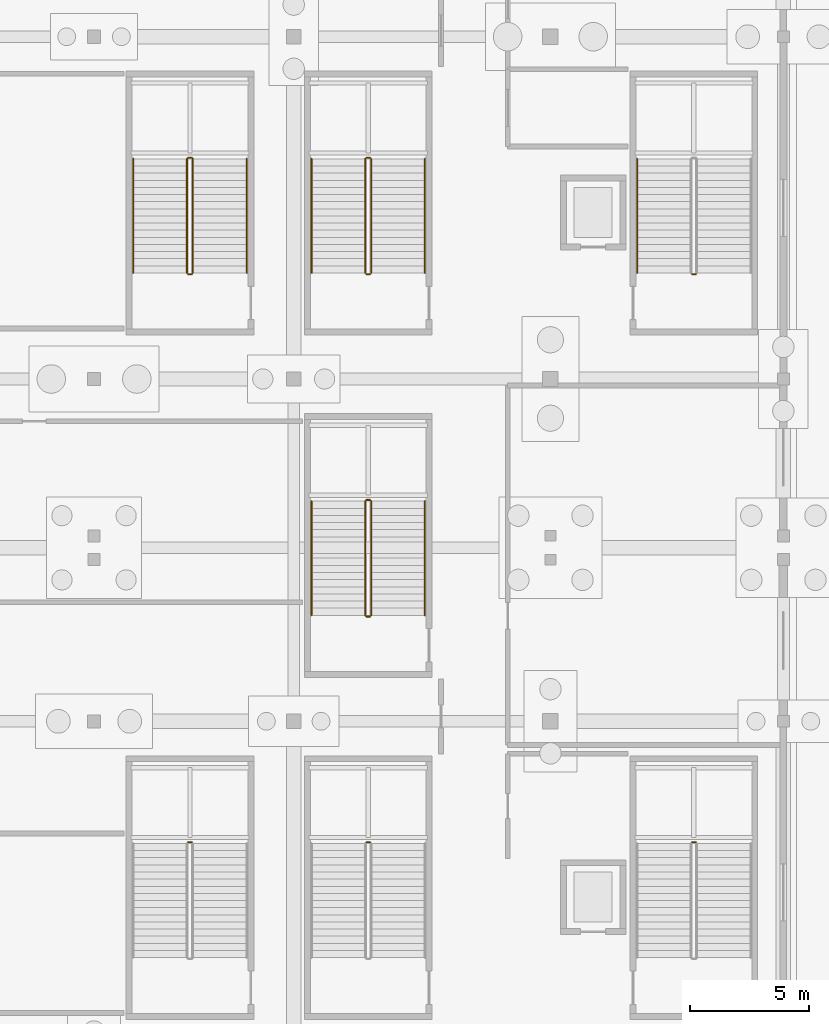
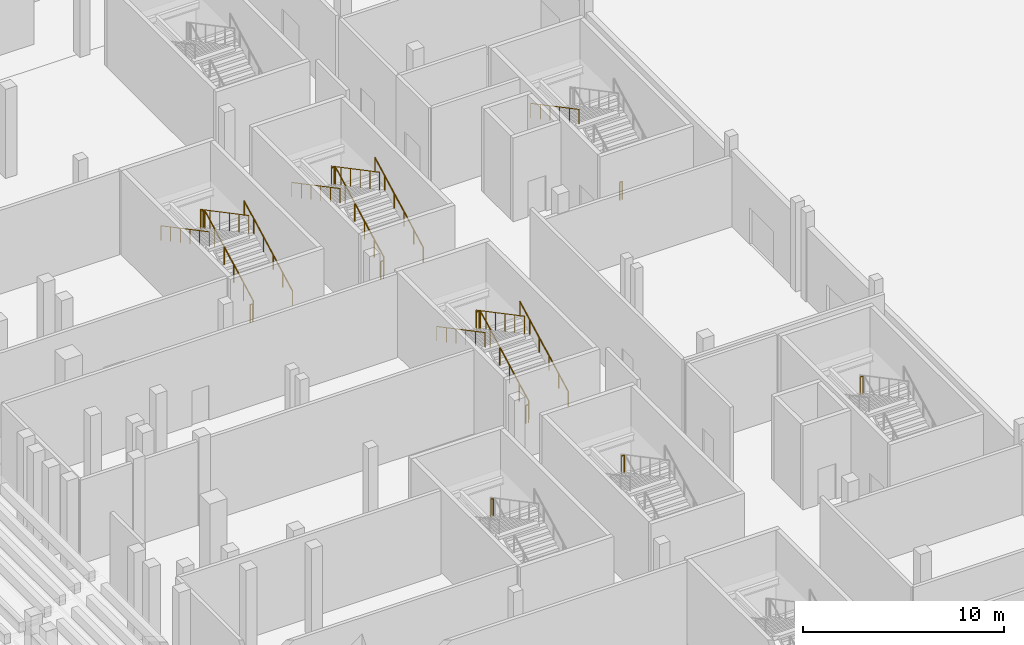
# One storey, part 81 of 89: 23 railings.
"""IFC4 building model written with IfcOpenShell, lengths in metres."""

from ifc_helpers import new_model, si_unit, direction, frame, origin, origin_2d, place, context, subcontext, project, spatial, circle, extrude, material, type_object, element, save


model = new_model("IFC4")

# Units and contexts
model_context = context("Model", 3, precision=1e-05, world=origin(), true_north=direction((0.0, 1.0)))
body_context = subcontext(model_context, "Body", "Model", "MODEL_VIEW")
ifc_project = project(units=[si_unit("LENGTHUNIT", "METRE"), si_unit("AREAUNIT", "SQUARE_METRE"), si_unit("VOLUMEUNIT", "CUBIC_METRE"), si_unit("PLANEANGLEUNIT", "RADIAN"), si_unit("MASSUNIT", "GRAM", prefix="KILO")], contexts=[model_context])

# Site, building, storey
site_placement = place(None, origin())
site = spatial("IfcSite", under=ifc_project, at=site_placement, CompositionType="ELEMENT")
building_placement = place(site_placement, origin())
building = spatial("IfcBuilding", under=site, at=building_placement, Name="Koshinbarg Plaza Stadium", CompositionType="ELEMENT")
storey_placement = place(building_placement, origin())
storey = spatial("IfcBuildingStorey", under=building, at=storey_placement, Name="L00", CompositionType="ELEMENT", Elevation=0.0)

# Railings
ifc_material_1 = material(Name="Galvanized painted steel guardrail", Category="steel")
railing_type_1 = type_object("IfcRailingType", Name="RL-GUARD-1100", PredefinedType="GUARDRAIL", material=ifc_material_1)
for number, where, name in (
    (1, (214.7099609375, 63.610107421875, 2.699951171875), "L00 C08 stair guard 2"),
    (2, (214.7099609375, 87.510009765625, 0.0), "L00 C09 stair guard 4"),
    (3, (201.010009765625, 63.610107421875, 2.699951171875), "L00 VX09 stair guard 2"),
):
    element("IfcRailing", number, at=place(storey_placement, frame(where)), inside=storey, type_object=railing_type_1, Name=name, PredefinedType="GUARDRAIL", context=body_context, shape_type="SweptSolid", body=[
        extrude(circle(Radius=0.02392578125, at=origin_2d()), frame((0.0, 0.0, 1.076171875), z_axis=(-1.0, 0.0, 0.0), x_axis=(0.0, -1.0, 0.0)), (0.0, 0.0, 1.0), 0.14990234375),
        extrude(circle(Radius=0.02099609375, at=origin_2d()), origin(), (0.0, 0.0, 1.0), 1.052001953125),
        extrude(circle(Radius=0.02099609375, at=origin_2d()), frame((-0.14990234375, 0.0, 0.0)), (0.0, 0.0, 1.0), 1.052001953125),
    ])
railing_1_placement = place(storey_placement, frame((201.06005859375, 73.159912109375, 0.158935546875)))
element("IfcRailing", 4, at=railing_1_placement, inside=storey, type_object=railing_type_1, Name="L00 VX10 stair guard 1", PredefinedType="GUARDRAIL", context=body_context, shape_type="SweptSolid", body=[
    extrude(circle(Radius=0.02392578125, at=origin_2d()), frame((0.0, 0.0, 1.076171875), z_axis=(0.0, 0.883802130504, 0.467860870469), x_axis=(-1.0, 0.0, 0.0)), (0.0, 0.0, 1.0), 5.43115234375),
    extrude(circle(Radius=0.02099609375, at=origin_2d()), origin(), (0.0, 0.0, 1.0), 1.052001953125),
    extrude(circle(Radius=0.02099609375, at=origin_2d()), frame((0.0, 0.9599609375, 0.50830078125)), (0.0, 0.0, 1.0), 1.052001953125),
    extrude(circle(Radius=0.02099609375, at=origin_2d()), frame((0.0, 1.919921875, 1.016357421875)), (0.0, 0.0, 1.0), 1.052001953125),
    extrude(circle(Radius=0.02099609375, at=origin_2d()), frame((0.0, 2.880126953125, 1.524658203125)), (0.0, 0.0, 1.0), 1.052001953125),
    extrude(circle(Radius=0.02099609375, at=origin_2d()), frame((0.0, 3.840087890625, 2.03271484375)), (0.0, 0.0, 1.0), 1.052001953125),
    extrude(circle(Radius=0.02099609375, at=origin_2d()), frame((0.0, 4.800048828125, 2.541015625)), (0.0, 0.0, 1.0), 1.052001953125),
])
railing_2_placement = place(storey_placement, frame((201.010009765625, 78.010009765625, 2.699951171875)))
element("IfcRailing", 5, at=railing_2_placement, inside=storey, type_object=railing_type_1, Name="L00 VX10 stair guard 2", PredefinedType="GUARDRAIL", context=body_context, shape_type="SweptSolid", body=[
    extrude(circle(Radius=0.02392578125, at=origin_2d()), frame((0.0, 0.0, 1.076171875), z_axis=(-1.0, 0.0, 0.0), x_axis=(0.0, -1.0, 0.0)), (0.0, 0.0, 1.0), 0.14990234375),
    extrude(circle(Radius=0.02099609375, at=origin_2d()), origin(), (0.0, 0.0, 1.0), 1.052001953125),
    extrude(circle(Radius=0.02099609375, at=origin_2d()), frame((-0.14990234375, 0.0, 0.0)), (0.0, 0.0, 1.0), 1.052001953125),
])
railing_3_placement = place(storey_placement, frame((200.81005859375, 77.9599609375, 2.85888671875)))
element("IfcRailing", 6, at=railing_3_placement, inside=storey, type_object=railing_type_1, Name="L00 VX10 stair guard 3", PredefinedType="GUARDRAIL", context=body_context, shape_type="SweptSolid", body=[
    extrude(circle(Radius=0.02392578125, at=origin_2d()), frame((0.0, 0.0, 1.076171875), z_axis=(0.0, -0.883802130504, 0.467860870469), x_axis=(1.0, 0.0, 0.0)), (0.0, 0.0, 1.0), 5.43115234375),
    extrude(circle(Radius=0.02099609375, at=origin_2d()), origin(), (0.0, 0.0, 1.0), 1.052001953125),
    extrude(circle(Radius=0.02099609375, at=origin_2d()), frame((0.0, -0.9599609375, 0.50830078125)), (0.0, 0.0, 1.0), 1.052001953125),
    extrude(circle(Radius=0.02099609375, at=origin_2d()), frame((0.0, -1.919921875, 1.016357421875)), (0.0, 0.0, 1.0), 1.052001953125),
    extrude(circle(Radius=0.02099609375, at=origin_2d()), frame((0.0, -2.880126953125, 1.524658203125)), (0.0, 0.0, 1.0), 1.052001953125),
    extrude(circle(Radius=0.02099609375, at=origin_2d()), frame((0.0, -3.840087890625, 2.03271484375)), (0.0, 0.0, 1.0), 1.052001953125),
    extrude(circle(Radius=0.02099609375, at=origin_2d()), frame((0.0, -4.800048828125, 2.541015625)), (0.0, 0.0, 1.0), 1.052001953125),
])
railing_4_placement = place(storey_placement, frame((201.010009765625, 73.110107421875, 0.0)))
element("IfcRailing", 7, at=railing_4_placement, inside=storey, type_object=railing_type_1, Name="L00 VX10 stair guard 4", PredefinedType="GUARDRAIL", context=body_context, shape_type="SweptSolid", body=[
    extrude(circle(Radius=0.02392578125, at=origin_2d()), frame((0.0, 0.0, 1.076171875), z_axis=(-1.0, 0.0, 0.0), x_axis=(0.0, -1.0, 0.0)), (0.0, 0.0, 1.0), 0.14990234375),
    extrude(circle(Radius=0.02099609375, at=origin_2d()), origin(), (0.0, 0.0, 1.0), 1.052001953125),
    extrude(circle(Radius=0.02099609375, at=origin_2d()), frame((-0.14990234375, 0.0, 0.0)), (0.0, 0.0, 1.0), 1.052001953125),
])
railing_5_placement = place(storey_placement, frame((201.06005859375, 87.56005859375, 0.158935546875)))
element("IfcRailing", 8, at=railing_5_placement, inside=storey, type_object=railing_type_1, Name="L00 VX11 stair guard 1", PredefinedType="GUARDRAIL", context=body_context, shape_type="SweptSolid", body=[
    extrude(circle(Radius=0.02392578125, at=origin_2d()), frame((0.0, 0.0, 1.076171875), z_axis=(0.0, 0.883802130504, 0.467860870469), x_axis=(-1.0, 0.0, 0.0)), (0.0, 0.0, 1.0), 5.43115234375),
    extrude(circle(Radius=0.02099609375, at=origin_2d()), origin(), (0.0, 0.0, 1.0), 1.052001953125),
    extrude(circle(Radius=0.02099609375, at=origin_2d()), frame((0.0, 0.9599609375, 0.50830078125)), (0.0, 0.0, 1.0), 1.052001953125),
    extrude(circle(Radius=0.02099609375, at=origin_2d()), frame((0.0, 1.919921875, 1.016357421875)), (0.0, 0.0, 1.0), 1.052001953125),
    extrude(circle(Radius=0.02099609375, at=origin_2d()), frame((0.0, 2.880126953125, 1.524658203125)), (0.0, 0.0, 1.0), 1.052001953125),
    extrude(circle(Radius=0.02099609375, at=origin_2d()), frame((0.0, 3.840087890625, 2.03271484375)), (0.0, 0.0, 1.0), 1.052001953125),
    extrude(circle(Radius=0.02099609375, at=origin_2d()), frame((0.0, 4.800048828125, 2.541015625)), (0.0, 0.0, 1.0), 1.052001953125),
])
railing_6_placement = place(storey_placement, frame((201.010009765625, 92.409912109375, 2.699951171875)))
element("IfcRailing", 9, at=railing_6_placement, inside=storey, type_object=railing_type_1, Name="L00 VX11 stair guard 2", PredefinedType="GUARDRAIL", context=body_context, shape_type="SweptSolid", body=[
    extrude(circle(Radius=0.02392578125, at=origin_2d()), frame((0.0, 0.0, 1.076171875), z_axis=(-1.0, 0.0, 0.0), x_axis=(0.0, -1.0, 0.0)), (0.0, 0.0, 1.0), 0.14990234375),
    extrude(circle(Radius=0.02099609375, at=origin_2d()), origin(), (0.0, 0.0, 1.0), 1.052001953125),
    extrude(circle(Radius=0.02099609375, at=origin_2d()), frame((-0.14990234375, 0.0, 0.0)), (0.0, 0.0, 1.0), 1.052001953125),
])
railing_7_placement = place(storey_placement, frame((200.81005859375, 92.360107421875, 2.85888671875)))
element("IfcRailing", 10, at=railing_7_placement, inside=storey, type_object=railing_type_1, Name="L00 VX11 stair guard 3", PredefinedType="GUARDRAIL", context=body_context, shape_type="SweptSolid", body=[
    extrude(circle(Radius=0.02392578125, at=origin_2d()), frame((0.0, 0.0, 1.076171875), z_axis=(0.0, -0.883802130504, 0.467860870469), x_axis=(1.0, 0.0, 0.0)), (0.0, 0.0, 1.0), 5.43115234375),
    extrude(circle(Radius=0.02099609375, at=origin_2d()), origin(), (0.0, 0.0, 1.0), 1.052001953125),
    extrude(circle(Radius=0.02099609375, at=origin_2d()), frame((0.0, -0.9599609375, 0.50830078125)), (0.0, 0.0, 1.0), 1.052001953125),
    extrude(circle(Radius=0.02099609375, at=origin_2d()), frame((0.0, -1.919921875, 1.016357421875)), (0.0, 0.0, 1.0), 1.052001953125),
    extrude(circle(Radius=0.02099609375, at=origin_2d()), frame((0.0, -2.880126953125, 1.524658203125)), (0.0, 0.0, 1.0), 1.052001953125),
    extrude(circle(Radius=0.02099609375, at=origin_2d()), frame((0.0, -3.840087890625, 2.03271484375)), (0.0, 0.0, 1.0), 1.052001953125),
    extrude(circle(Radius=0.02099609375, at=origin_2d()), frame((0.0, -4.800048828125, 2.541015625)), (0.0, 0.0, 1.0), 1.052001953125),
])
for number, where, name in (
    (11, (201.010009765625, 87.510009765625, 0.0), "L00 VX11 stair guard 4"),
    (12, (193.510009765625, 63.610107421875, 2.699951171875), "L00 VL06 stair guard 2"),
):
    element("IfcRailing", number, at=place(storey_placement, frame(where)), inside=storey, type_object=railing_type_1, Name=name, PredefinedType="GUARDRAIL", context=body_context, shape_type="SweptSolid", body=[
        extrude(circle(Radius=0.02392578125, at=origin_2d()), frame((0.0, 0.0, 1.076171875), z_axis=(-1.0, 0.0, 0.0), x_axis=(0.0, -1.0, 0.0)), (0.0, 0.0, 1.0), 0.14990234375),
        extrude(circle(Radius=0.02099609375, at=origin_2d()), origin(), (0.0, 0.0, 1.0), 1.052001953125),
        extrude(circle(Radius=0.02099609375, at=origin_2d()), frame((-0.14990234375, 0.0, 0.0)), (0.0, 0.0, 1.0), 1.052001953125),
    ])
railing_8_placement = place(storey_placement, frame((193.56005859375, 87.56005859375, 0.158935546875)))
element("IfcRailing", 13, at=railing_8_placement, inside=storey, type_object=railing_type_1, Name="L00 VL07 stair guard 1", PredefinedType="GUARDRAIL", context=body_context, shape_type="SweptSolid", body=[
    extrude(circle(Radius=0.02392578125, at=origin_2d()), frame((0.0, 0.0, 1.076171875), z_axis=(0.0, 0.883802130504, 0.467860870469), x_axis=(-1.0, 0.0, 0.0)), (0.0, 0.0, 1.0), 5.43115234375),
    extrude(circle(Radius=0.02099609375, at=origin_2d()), origin(), (0.0, 0.0, 1.0), 1.052001953125),
    extrude(circle(Radius=0.02099609375, at=origin_2d()), frame((0.0, 0.9599609375, 0.50830078125)), (0.0, 0.0, 1.0), 1.052001953125),
    extrude(circle(Radius=0.02099609375, at=origin_2d()), frame((0.0, 1.919921875, 1.016357421875)), (0.0, 0.0, 1.0), 1.052001953125),
    extrude(circle(Radius=0.02099609375, at=origin_2d()), frame((0.0, 2.880126953125, 1.524658203125)), (0.0, 0.0, 1.0), 1.052001953125),
    extrude(circle(Radius=0.02099609375, at=origin_2d()), frame((0.0, 3.840087890625, 2.03271484375)), (0.0, 0.0, 1.0), 1.052001953125),
    extrude(circle(Radius=0.02099609375, at=origin_2d()), frame((0.0, 4.800048828125, 2.541015625)), (0.0, 0.0, 1.0), 1.052001953125),
])
railing_9_placement = place(storey_placement, frame((193.510009765625, 92.409912109375, 2.699951171875)))
element("IfcRailing", 14, at=railing_9_placement, inside=storey, type_object=railing_type_1, Name="L00 VL07 stair guard 2", PredefinedType="GUARDRAIL", context=body_context, shape_type="SweptSolid", body=[
    extrude(circle(Radius=0.02392578125, at=origin_2d()), frame((0.0, 0.0, 1.076171875), z_axis=(-1.0, 0.0, 0.0), x_axis=(0.0, -1.0, 0.0)), (0.0, 0.0, 1.0), 0.14990234375),
    extrude(circle(Radius=0.02099609375, at=origin_2d()), origin(), (0.0, 0.0, 1.0), 1.052001953125),
    extrude(circle(Radius=0.02099609375, at=origin_2d()), frame((-0.14990234375, 0.0, 0.0)), (0.0, 0.0, 1.0), 1.052001953125),
])
railing_10_placement = place(storey_placement, frame((193.31005859375, 92.360107421875, 2.85888671875)))
element("IfcRailing", 15, at=railing_10_placement, inside=storey, type_object=railing_type_1, Name="L00 VL07 stair guard 3", PredefinedType="GUARDRAIL", context=body_context, shape_type="SweptSolid", body=[
    extrude(circle(Radius=0.02392578125, at=origin_2d()), frame((0.0, 0.0, 1.076171875), z_axis=(0.0, -0.883802130504, 0.467860870469), x_axis=(1.0, 0.0, 0.0)), (0.0, 0.0, 1.0), 5.43115234375),
    extrude(circle(Radius=0.02099609375, at=origin_2d()), origin(), (0.0, 0.0, 1.0), 1.052001953125),
    extrude(circle(Radius=0.02099609375, at=origin_2d()), frame((0.0, -0.9599609375, 0.50830078125)), (0.0, 0.0, 1.0), 1.052001953125),
    extrude(circle(Radius=0.02099609375, at=origin_2d()), frame((0.0, -1.919921875, 1.016357421875)), (0.0, 0.0, 1.0), 1.052001953125),
    extrude(circle(Radius=0.02099609375, at=origin_2d()), frame((0.0, -2.880126953125, 1.524658203125)), (0.0, 0.0, 1.0), 1.052001953125),
    extrude(circle(Radius=0.02099609375, at=origin_2d()), frame((0.0, -3.840087890625, 2.03271484375)), (0.0, 0.0, 1.0), 1.052001953125),
    extrude(circle(Radius=0.02099609375, at=origin_2d()), frame((0.0, -4.800048828125, 2.541015625)), (0.0, 0.0, 1.0), 1.052001953125),
])
railing_11_placement = place(storey_placement, frame((193.510009765625, 87.510009765625, 0.0)))
element("IfcRailing", 16, at=railing_11_placement, inside=storey, type_object=railing_type_1, Name="L00 VL07 stair guard 4", PredefinedType="GUARDRAIL", context=body_context, shape_type="SweptSolid", body=[
    extrude(circle(Radius=0.02392578125, at=origin_2d()), frame((0.0, 0.0, 1.076171875), z_axis=(-1.0, 0.0, 0.0), x_axis=(0.0, -1.0, 0.0)), (0.0, 0.0, 1.0), 0.14990234375),
    extrude(circle(Radius=0.02099609375, at=origin_2d()), origin(), (0.0, 0.0, 1.0), 1.052001953125),
    extrude(circle(Radius=0.02099609375, at=origin_2d()), frame((-0.14990234375, 0.0, 0.0)), (0.0, 0.0, 1.0), 1.052001953125),
])
ifc_material_2 = material(Name="Brushed stainless steel handrail", Category="steel")
railing_type_2 = type_object("IfcRailingType", Name="RL-HAND-900", PredefinedType="HANDRAIL", material=ifc_material_2)
railing_12_placement = place(storey_placement, frame((212.25, 92.360107421875, 2.85888671875)))
element("IfcRailing", 17, at=railing_12_placement, inside=storey, type_object=railing_type_2, Name="L00 C09 stair handrail 2", PredefinedType="HANDRAIL", context=body_context, shape_type="SweptSolid", body=[
    extrude(circle(Radius=0.02392578125, at=origin_2d()), frame((0.0, 0.0, 0.8759765625), z_axis=(0.0, -0.883802130504, 0.467860870469), x_axis=(1.0, 0.0, 0.0)), (0.0, 0.0, 1.0), 5.43115234375),
    extrude(circle(Radius=0.02099609375, at=origin_2d()), origin(), (0.0, 0.0, 1.0), 0.851806640625),
    extrude(circle(Radius=0.02099609375, at=origin_2d()), frame((0.0, -0.9599609375, 0.50830078125)), (0.0, 0.0, 1.0), 0.851806640625),
    extrude(circle(Radius=0.02099609375, at=origin_2d()), frame((0.0, -1.919921875, 1.016357421875)), (0.0, 0.0, 1.0), 0.851806640625),
    extrude(circle(Radius=0.02099609375, at=origin_2d()), frame((0.0, -2.880126953125, 1.524658203125)), (0.0, 0.0, 1.0), 0.851806640625),
    extrude(circle(Radius=0.02099609375, at=origin_2d()), frame((0.0, -3.840087890625, 2.03271484375)), (0.0, 0.0, 1.0), 0.851806640625),
    extrude(circle(Radius=0.02099609375, at=origin_2d()), frame((0.0, -4.800048828125, 2.541015625)), (0.0, 0.0, 1.0), 0.851806640625),
])
railing_13_placement = place(storey_placement, frame((203.320068359375, 73.159912109375, 0.158935546875)))
element("IfcRailing", 18, at=railing_13_placement, inside=storey, type_object=railing_type_2, Name="L00 VX10 stair handrail 1", PredefinedType="HANDRAIL", context=body_context, shape_type="SweptSolid", body=[
    extrude(circle(Radius=0.02392578125, at=origin_2d()), frame((0.0, 0.0, 0.8759765625), z_axis=(0.0, 0.883802130504, 0.467860870469), x_axis=(-1.0, 0.0, 0.0)), (0.0, 0.0, 1.0), 5.43115234375),
    extrude(circle(Radius=0.02099609375, at=origin_2d()), origin(), (0.0, 0.0, 1.0), 0.851806640625),
    extrude(circle(Radius=0.02099609375, at=origin_2d()), frame((0.0, 0.9599609375, 0.50830078125)), (0.0, 0.0, 1.0), 0.851806640625),
    extrude(circle(Radius=0.02099609375, at=origin_2d()), frame((0.0, 1.919921875, 1.016357421875)), (0.0, 0.0, 1.0), 0.851806640625),
    extrude(circle(Radius=0.02099609375, at=origin_2d()), frame((0.0, 2.880126953125, 1.524658203125)), (0.0, 0.0, 1.0), 0.851806640625),
    extrude(circle(Radius=0.02099609375, at=origin_2d()), frame((0.0, 3.840087890625, 2.03271484375)), (0.0, 0.0, 1.0), 0.851806640625),
    extrude(circle(Radius=0.02099609375, at=origin_2d()), frame((0.0, 4.800048828125, 2.541015625)), (0.0, 0.0, 1.0), 0.851806640625),
])
railing_14_placement = place(storey_placement, frame((198.550048828125, 77.9599609375, 2.85888671875)))
element("IfcRailing", 19, at=railing_14_placement, inside=storey, type_object=railing_type_2, Name="L00 VX10 stair handrail 2", PredefinedType="HANDRAIL", context=body_context, shape_type="SweptSolid", body=[
    extrude(circle(Radius=0.02392578125, at=origin_2d()), frame((0.0, 0.0, 0.8759765625), z_axis=(0.0, -0.883802130504, 0.467860870469), x_axis=(1.0, 0.0, 0.0)), (0.0, 0.0, 1.0), 5.43115234375),
    extrude(circle(Radius=0.02099609375, at=origin_2d()), origin(), (0.0, 0.0, 1.0), 0.851806640625),
    extrude(circle(Radius=0.02099609375, at=origin_2d()), frame((0.0, -0.9599609375, 0.50830078125)), (0.0, 0.0, 1.0), 0.851806640625),
    extrude(circle(Radius=0.02099609375, at=origin_2d()), frame((0.0, -1.919921875, 1.016357421875)), (0.0, 0.0, 1.0), 0.851806640625),
    extrude(circle(Radius=0.02099609375, at=origin_2d()), frame((0.0, -2.880126953125, 1.524658203125)), (0.0, 0.0, 1.0), 0.851806640625),
    extrude(circle(Radius=0.02099609375, at=origin_2d()), frame((0.0, -3.840087890625, 2.03271484375)), (0.0, 0.0, 1.0), 0.851806640625),
    extrude(circle(Radius=0.02099609375, at=origin_2d()), frame((0.0, -4.800048828125, 2.541015625)), (0.0, 0.0, 1.0), 0.851806640625),
])
railing_15_placement = place(storey_placement, frame((203.320068359375, 87.56005859375, 0.158935546875)))
element("IfcRailing", 20, at=railing_15_placement, inside=storey, type_object=railing_type_2, Name="L00 VX11 stair handrail 1", PredefinedType="HANDRAIL", context=body_context, shape_type="SweptSolid", body=[
    extrude(circle(Radius=0.02392578125, at=origin_2d()), frame((0.0, 0.0, 0.8759765625), z_axis=(0.0, 0.883802130504, 0.467860870469), x_axis=(-1.0, 0.0, 0.0)), (0.0, 0.0, 1.0), 5.43115234375),
    extrude(circle(Radius=0.02099609375, at=origin_2d()), origin(), (0.0, 0.0, 1.0), 0.851806640625),
    extrude(circle(Radius=0.02099609375, at=origin_2d()), frame((0.0, 0.9599609375, 0.50830078125)), (0.0, 0.0, 1.0), 0.851806640625),
    extrude(circle(Radius=0.02099609375, at=origin_2d()), frame((0.0, 1.919921875, 1.016357421875)), (0.0, 0.0, 1.0), 0.851806640625),
    extrude(circle(Radius=0.02099609375, at=origin_2d()), frame((0.0, 2.880126953125, 1.524658203125)), (0.0, 0.0, 1.0), 0.851806640625),
    extrude(circle(Radius=0.02099609375, at=origin_2d()), frame((0.0, 3.840087890625, 2.03271484375)), (0.0, 0.0, 1.0), 0.851806640625),
    extrude(circle(Radius=0.02099609375, at=origin_2d()), frame((0.0, 4.800048828125, 2.541015625)), (0.0, 0.0, 1.0), 0.851806640625),
])
railing_16_placement = place(storey_placement, frame((198.550048828125, 92.360107421875, 2.85888671875)))
element("IfcRailing", 21, at=railing_16_placement, inside=storey, type_object=railing_type_2, Name="L00 VX11 stair handrail 2", PredefinedType="HANDRAIL", context=body_context, shape_type="SweptSolid", body=[
    extrude(circle(Radius=0.02392578125, at=origin_2d()), frame((0.0, 0.0, 0.8759765625), z_axis=(0.0, -0.883802130504, 0.467860870469), x_axis=(1.0, 0.0, 0.0)), (0.0, 0.0, 1.0), 5.43115234375),
    extrude(circle(Radius=0.02099609375, at=origin_2d()), origin(), (0.0, 0.0, 1.0), 0.851806640625),
    extrude(circle(Radius=0.02099609375, at=origin_2d()), frame((0.0, -0.9599609375, 0.50830078125)), (0.0, 0.0, 1.0), 0.851806640625),
    extrude(circle(Radius=0.02099609375, at=origin_2d()), frame((0.0, -1.919921875, 1.016357421875)), (0.0, 0.0, 1.0), 0.851806640625),
    extrude(circle(Radius=0.02099609375, at=origin_2d()), frame((0.0, -2.880126953125, 1.524658203125)), (0.0, 0.0, 1.0), 0.851806640625),
    extrude(circle(Radius=0.02099609375, at=origin_2d()), frame((0.0, -3.840087890625, 2.03271484375)), (0.0, 0.0, 1.0), 0.851806640625),
    extrude(circle(Radius=0.02099609375, at=origin_2d()), frame((0.0, -4.800048828125, 2.541015625)), (0.0, 0.0, 1.0), 0.851806640625),
])
railing_17_placement = place(storey_placement, frame((195.820068359375, 87.56005859375, 0.158935546875)))
element("IfcRailing", 22, at=railing_17_placement, inside=storey, type_object=railing_type_2, Name="L00 VL07 stair handrail 1", PredefinedType="HANDRAIL", context=body_context, shape_type="SweptSolid", body=[
    extrude(circle(Radius=0.02392578125, at=origin_2d()), frame((0.0, 0.0, 0.8759765625), z_axis=(0.0, 0.883802130504, 0.467860870469), x_axis=(-1.0, 0.0, 0.0)), (0.0, 0.0, 1.0), 5.43115234375),
    extrude(circle(Radius=0.02099609375, at=origin_2d()), origin(), (0.0, 0.0, 1.0), 0.851806640625),
    extrude(circle(Radius=0.02099609375, at=origin_2d()), frame((0.0, 0.9599609375, 0.50830078125)), (0.0, 0.0, 1.0), 0.851806640625),
    extrude(circle(Radius=0.02099609375, at=origin_2d()), frame((0.0, 1.919921875, 1.016357421875)), (0.0, 0.0, 1.0), 0.851806640625),
    extrude(circle(Radius=0.02099609375, at=origin_2d()), frame((0.0, 2.880126953125, 1.524658203125)), (0.0, 0.0, 1.0), 0.851806640625),
    extrude(circle(Radius=0.02099609375, at=origin_2d()), frame((0.0, 3.840087890625, 2.03271484375)), (0.0, 0.0, 1.0), 0.851806640625),
    extrude(circle(Radius=0.02099609375, at=origin_2d()), frame((0.0, 4.800048828125, 2.541015625)), (0.0, 0.0, 1.0), 0.851806640625),
])
railing_18_placement = place(storey_placement, frame((191.050048828125, 92.360107421875, 2.85888671875)))
element("IfcRailing", 23, at=railing_18_placement, inside=storey, type_object=railing_type_2, Name="L00 VL07 stair handrail 2", PredefinedType="HANDRAIL", context=body_context, shape_type="SweptSolid", body=[
    extrude(circle(Radius=0.02392578125, at=origin_2d()), frame((0.0, 0.0, 0.8759765625), z_axis=(0.0, -0.883802130504, 0.467860870469), x_axis=(1.0, 0.0, 0.0)), (0.0, 0.0, 1.0), 5.43115234375),
    extrude(circle(Radius=0.02099609375, at=origin_2d()), origin(), (0.0, 0.0, 1.0), 0.851806640625),
    extrude(circle(Radius=0.02099609375, at=origin_2d()), frame((0.0, -0.9599609375, 0.50830078125)), (0.0, 0.0, 1.0), 0.851806640625),
    extrude(circle(Radius=0.02099609375, at=origin_2d()), frame((0.0, -1.919921875, 1.016357421875)), (0.0, 0.0, 1.0), 0.851806640625),
    extrude(circle(Radius=0.02099609375, at=origin_2d()), frame((0.0, -2.880126953125, 1.524658203125)), (0.0, 0.0, 1.0), 0.851806640625),
    extrude(circle(Radius=0.02099609375, at=origin_2d()), frame((0.0, -3.840087890625, 2.03271484375)), (0.0, 0.0, 1.0), 0.851806640625),
    extrude(circle(Radius=0.02099609375, at=origin_2d()), frame((0.0, -4.800048828125, 2.541015625)), (0.0, 0.0, 1.0), 0.851806640625),
])

save(model, "model.ifc")
